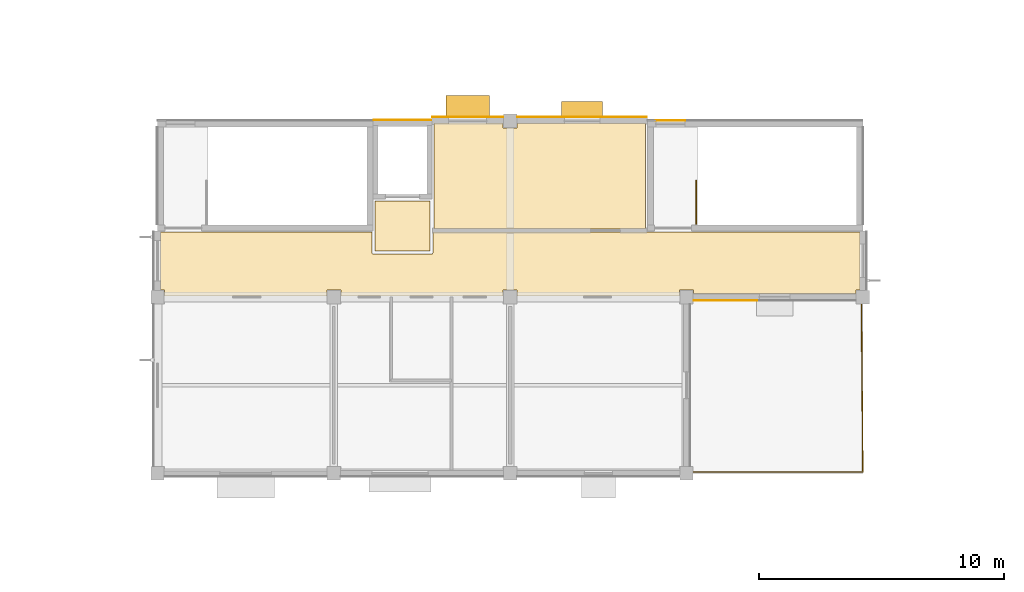
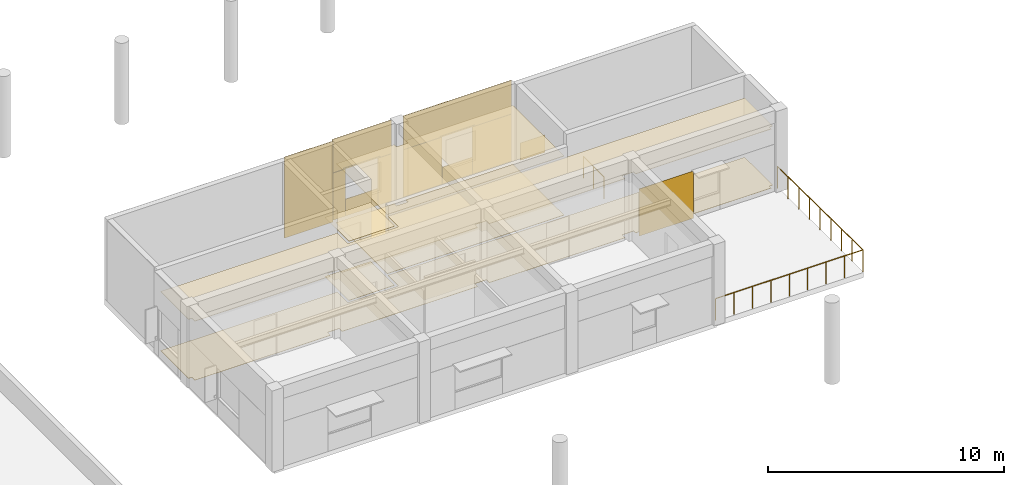
# One storey, part 22 of 29: 17 coverings, 2 railings, 2 shading devices.
"""IFC4 building model written with IfcOpenShell, lengths in metres."""

import ifcopenshell
import ifcopenshell.guid

model = None  # the IFC model being written
_history = None  # IfcOwnerHistory: only IFC2X3 demands one
_inside = {}  # id of a spatial element -> (the spatial element, [elements in it])
_under = {}  # id of a project, library or spatial element -> (it, [spatial elements below it])
_declared = {}  # id of a project -> (the project, [libraries it declares])
_typed = {}  # id of a type object -> (the type object, [elements of that type])
_made_of = {}  # id of a material, layer set ... -> (it, [elements and type objects made of it])


def new_model(schema):
    """Start an empty IFC model of exactly this schema.

    Asked for "IFC4X3", IfcOpenShell would pick the latest addendum, in which some entities
    have other attributes; the version numbers below select the first issue.
    IFC2X3 requires an IfcOwnerHistory on every rooted entity: one is made here for all.
    """
    global model, _history
    if schema == "IFC4X3":
        model = ifcopenshell.file(schema_version=(4, 3, 0, 0))
    else:
        model = ifcopenshell.file(schema=schema)
    _inside.clear()
    _under.clear()
    _declared.clear()
    _typed.clear()
    _made_of.clear()
    _history = None
    if model.schema == "IFC2X3":
        org = make("IfcOrganization", Name="unknown")
        user = make(
            "IfcPersonAndOrganization",
            ThePerson=make("IfcPerson", FamilyName="unknown"),
            TheOrganization=org,
        )
        app = make(
            "IfcApplication",
            ApplicationDeveloper=org,
            Version="unknown",
            ApplicationFullName="unknown",
            ApplicationIdentifier="unknown",
        )
        _history = make(
            "IfcOwnerHistory",
            OwningUser=user,
            OwningApplication=app,
            ChangeAction="ADDED",
            CreationDate=0,
        )
    return model


def make(cls, **values):
    """One entity of the class cls with the attributes given. An attribute that is None is left unset."""
    return model.create_entity(
        cls, **{name: value for name, value in values.items() if value is not None}
    )


def rooted(cls, **values):
    """An entity with a GlobalId (a new one), such as an element, a storey or a relation."""
    return make(cls, GlobalId=ifcopenshell.guid.new(), OwnerHistory=_history, **values)


def si_unit(unit_type, name, prefix=None):
    """IfcSIUnit, for example si_unit("LENGTHUNIT", "METRE", prefix="MILLI")."""
    return make("IfcSIUnit", UnitType=unit_type, Prefix=prefix, Name=name)


def assignment(units):
    """IfcUnitAssignment: the units of a project."""
    return None if units is None else make("IfcUnitAssignment", Units=units)


def point(xyz):
    """IfcCartesianPoint."""
    return None if xyz is None else make("IfcCartesianPoint", Coordinates=xyz)


def direction(xyz):
    """IfcDirection."""
    return None if xyz is None else make("IfcDirection", DirectionRatios=xyz)


def frame(location, z_axis=None, x_axis=None):
    """IfcAxis2Placement3D, a coordinate frame: its origin and axes. An axis left out is left unset."""
    return make(
        "IfcAxis2Placement3D",
        Location=point(location),
        Axis=direction(z_axis),
        RefDirection=direction(x_axis),
    )


def frame_2d(location, x_axis=None):
    """IfcAxis2Placement2D, a coordinate frame in the plane: its origin and x axis."""
    return make(
        "IfcAxis2Placement2D", Location=point(location), RefDirection=direction(x_axis)
    )


def origin():
    """The frame at (0, 0, 0) with its axes left unset."""
    return frame((0.0, 0.0, 0.0))


def origin_2d():
    """The frame at (0, 0) in the plane with its x axis left unset."""
    return frame_2d((0.0, 0.0))


def place(relative_to, where):
    """IfcLocalPlacement: puts the frame where relative to a parent placement (None: the world)."""
    return make(
        "IfcLocalPlacement", PlacementRelTo=relative_to, RelativePlacement=where
    )


def context(
    kind, dimensions, precision=None, world=None, true_north=None, identifier=None
):
    """IfcGeometricRepresentationContext, for example the 3D "Model" context."""
    return make(
        "IfcGeometricRepresentationContext",
        ContextIdentifier=identifier,
        ContextType=kind,
        CoordinateSpaceDimension=dimensions,
        Precision=precision,
        WorldCoordinateSystem=world,
        TrueNorth=true_north,
    )


def subcontext(parent, identifier, kind, view, scale=None):
    """IfcGeometricRepresentationSubContext, for example "Body" below "Model"."""
    return make(
        "IfcGeometricRepresentationSubContext",
        ContextIdentifier=identifier,
        ContextType=kind,
        ParentContext=parent,
        TargetScale=scale,
        TargetView=view,
    )


def project(units=None, contexts=None):
    """IfcProject with its units and contexts."""
    return rooted(
        "IfcProject",
        Name="project",
        RepresentationContexts=contexts,
        UnitsInContext=assignment(units),
    )


def spatial(cls, under=None, at=None, **own):
    """A site, building, storey or space (cls), placed at a placement, below another one or the project."""
    s = rooted(cls, ObjectPlacement=at, **own)
    if under is not None:
        _under.setdefault(under.id(), (under, []))[1].append(s)
    return s


def polyline(points):
    """IfcPolyline through the points."""
    return make("IfcPolyline", Points=[point(p) for p in points])


def profile(cls, at=None, kind="AREA", **sizes):
    """A parametric profile (cls). Its sizes go by their IFC names, for example OverallWidth=200.0."""
    return make(cls, ProfileType=kind, Position=at, **sizes)


def rectangle(**sizes):
    """IfcRectangleProfileDef."""
    return profile("IfcRectangleProfileDef", **sizes)


def circle(**sizes):
    """IfcCircleProfileDef."""
    return profile("IfcCircleProfileDef", **sizes)


def outline(outer, holes=None, kind="AREA"):
    """IfcArbitraryClosedProfileDef: a profile drawn as a closed curve; with holes, ...WithVoids."""
    if holes is None:
        return make("IfcArbitraryClosedProfileDef", ProfileType=kind, OuterCurve=outer)
    return make(
        "IfcArbitraryProfileDefWithVoids",
        ProfileType=kind,
        OuterCurve=outer,
        InnerCurves=holes,
    )


def extrude(swept, where, along, depth):
    """IfcExtrudedAreaSolid: the profile swept, set in the frame where, extruded along a direction by depth."""
    return make(
        "IfcExtrudedAreaSolid",
        SweptArea=swept,
        Position=where,
        ExtrudedDirection=direction(along),
        Depth=depth,
    )


def shape(context_of_items, identifier, shape_type, items):
    """IfcShapeRepresentation: the items that make up one representation, for example the "Body"."""
    return make(
        "IfcShapeRepresentation",
        ContextOfItems=context_of_items,
        RepresentationIdentifier=identifier,
        RepresentationType=shape_type,
        Items=items,
    )


def material(Name=None, Category=None):
    """IfcMaterial."""
    return make("IfcMaterial", Name=Name, Category=Category)


def layer(
    of_material, thickness, ventilated=None, Name=None, Category=None, Priority=None
):
    """IfcMaterialLayer: one layer of a wall or slab, of a material (None: an air gap)."""
    return make(
        "IfcMaterialLayer",
        Material=of_material,
        LayerThickness=thickness,
        IsVentilated=ventilated,
        Name=Name,
        Category=Category,
        Priority=Priority,
    )


def layer_set(layers, Name=None):
    """IfcMaterialLayerSet."""
    return make("IfcMaterialLayerSet", MaterialLayers=layers, LayerSetName=Name)


def made_of(thing, what):
    """Note that an element or type object is made of a material, layer set ...; save() writes the relation."""
    if what is not None:
        _made_of.setdefault(what.id(), (what, []))[1].append(thing)
    return thing


def type_object(cls, material=None, **own):
    """A type object (cls), such as IfcWallType, which elements share."""
    return made_of(rooted(cls, **own), material)


def element(
    cls,
    number,
    at=None,
    inside=None,
    cuts=None,
    type_object=None,
    material=None,
    context=None,
    identifier="Body",
    shape_type=None,
    held_by="IfcProductDefinitionShape",
    body=None,
    shapes=None,
    **own,
):
    """One element of the class cls, such as IfcWall. Its Tag is "e" and its number.

    at: its placement. inside: the storey or other place that contains it. cuts: it is an
    opening in that element (IfcRelVoidsElement). A single representation is given by context,
    identifier, shape_type and body (its items); several are given by shapes. held_by: the class
    of the entity that holds the representations. save() writes the other relations.
    """
    e = rooted(cls, Tag="e%d" % number, ObjectPlacement=at, **own)
    if body is not None:
        shapes = [shape(context, identifier, shape_type, body)]
    if shapes is not None:
        e.Representation = make(held_by, Representations=shapes)
    if inside is not None:
        _inside.setdefault(inside.id(), (inside, []))[1].append(e)
    if cuts is not None:
        rooted(
            "IfcRelVoidsElement", RelatingBuildingElement=cuts, RelatedOpeningElement=e
        )
    if type_object is not None:
        _typed.setdefault(type_object.id(), (type_object, []))[1].append(e)
    return made_of(e, material)


def aggregate(whole, parts):
    """IfcRelAggregates: a whole, such as a stair, and the parts it consists of."""
    return rooted("IfcRelAggregates", RelatingObject=whole, RelatedObjects=parts)


def save(model, path):
    """Write the relations noted so far, then the file.

    IfcRelAggregates (storeys below a building ...), IfcRelContainedInSpatialStructure (elements
    in a storey), IfcRelDefinesByType, IfcRelAssociatesMaterial and IfcRelDeclares: one each for
    every whole, place, type object, material and project.
    """
    for whole, parts in _under.values():
        aggregate(whole, parts)
    for where, things in _inside.values():
        rooted(
            "IfcRelContainedInSpatialStructure",
            RelatedElements=things,
            RelatingStructure=where,
        )
    for kind, things in _typed.values():
        rooted("IfcRelDefinesByType", RelatedObjects=things, RelatingType=kind)
    for what, things in _made_of.values():
        rooted("IfcRelAssociatesMaterial", RelatedObjects=things, RelatingMaterial=what)
    for by, libraries in _declared.values():
        rooted("IfcRelDeclares", RelatingContext=by, RelatedDefinitions=libraries)
    model.write(path)


model = new_model("IFC4")

# Units and contexts
model_context = context("Model", 3, precision=1e-05, world=origin(), true_north=direction((0.0, 1.0)))
body_context = subcontext(model_context, "Body", "Model", "MODEL_VIEW")
ifc_project = project(units=[si_unit("LENGTHUNIT", "METRE"), si_unit("AREAUNIT", "SQUARE_METRE"), si_unit("VOLUMEUNIT", "CUBIC_METRE"), si_unit("PLANEANGLEUNIT", "RADIAN"), si_unit("MASSUNIT", "GRAM", prefix="KILO")], contexts=[model_context])

# Site, building, storey
site_placement = place(None, origin())
site = spatial("IfcSite", under=ifc_project, at=site_placement, CompositionType="ELEMENT")
building_placement = place(site_placement, origin())
building = spatial("IfcBuilding", under=site, at=building_placement, Name="Namkhue Oval Health Centre", CompositionType="ELEMENT")
storey_placement = place(building_placement, frame((0.0, 0.0, 18.0)))
storey = spatial("IfcBuildingStorey", under=building, at=storey_placement, Name="L04", CompositionType="ELEMENT", Elevation=18.0)

# Coverings
ifc_material_1 = material(Name="Acoustic mineral-fibre cleanroom ceiling", Category="gypsum")
ifc_layer_1 = layer(ifc_material_1, 0.02001953125)
ifc_layer_set_1 = layer_set([ifc_layer_1], Name="Acoustic mineral-fibre cleanroom ceiling")
covering_type_1 = type_object("IfcCoveringType", Name="ACOUSTIC CLEANROOM CEILING 20", PredefinedType="CEILING", material=ifc_layer_set_1)
covering_1_placement = place(storey_placement, frame((0.0, 0.0, 3.050048828125)))
element("IfcCovering", 1, at=covering_1_placement, inside=storey, type_object=covering_type_1, Name="Acoustic Ceiling L04-LL6 Lift Lobby LF-06", PredefinedType="CEILING", context=body_context, shape_type="SweptSolid", body=[
    extrude(outline(polyline([(102.47998046875, 23.47998046875), (102.47998046875, 25.52001953125), (104.719970703125, 25.52001953125), (104.719970703125, 23.47998046875), (102.47998046875, 23.47998046875)])), origin(), (0.0, 0.0, 1.0), 0.02001953125),
])
covering_2_placement = place(storey_placement, frame((0.0, 0.0, 3.050048828125)))
element("IfcCovering", 2, at=covering_2_placement, inside=storey, type_object=covering_type_1, Name="Acoustic Ceiling L04-V5-C1 V5 Clinical Corridor", PredefinedType="CEILING", context=body_context, shape_type="SweptSolid", body=[
    extrude(outline(polyline([(108.284912109375, 21.639892578125), (108.284912109375, 21.885009765625), (107.715087890625, 21.885009765625), (107.715087890625, 21.639892578125), (101.0849609375, 21.639892578125), (101.0849609375, 21.885009765625), (100.514892578125, 21.885009765625), (100.514892578125, 21.639892578125), (93.885009765625, 21.639892578125), (93.885009765625, 21.885009765625), (93.72509765625, 21.885009765625), (93.72509765625, 24.260009765625), (102.360107421875, 24.260009765625), (102.360107421875, 23.39990234375), (102.363037109375, 23.384765625), (102.37158203125, 23.37158203125), (102.384765625, 23.363037109375), (102.39990234375, 23.360107421875), (104.800048828125, 23.360107421875), (104.815185546875, 23.363037109375), (104.833251953125, 23.377685546875), (104.840087890625, 23.39990234375), (104.840087890625, 24.260009765625), (122.27490234375, 24.260009765625), (122.27490234375, 21.885009765625), (122.114990234375, 21.885009765625), (122.114990234375, 21.72509765625), (115.485107421875, 21.72509765625), (115.485107421875, 21.885009765625), (114.9150390625, 21.885009765625), (114.9150390625, 21.639892578125), (108.284912109375, 21.639892578125)])), origin(), (0.0, 0.0, 1.0), 0.02001953125),
])
covering_3_placement = place(storey_placement, frame((0.0, 0.0, 3.050048828125)))
element("IfcCovering", 3, at=covering_3_placement, inside=storey, type_object=covering_type_1, Name="Acoustic Ceiling L04-506 East Terrace Group Therapy Lounge", PredefinedType="CEILING", context=body_context, shape_type="SweptSolid", body=[
    extrude(outline(polyline([(104.8798828125, 24.3798828125), (104.8798828125, 28.715087890625), (107.715087890625, 28.715087890625), (107.715087890625, 28.514892578125), (108.284912109375, 28.514892578125), (108.284912109375, 28.715087890625), (113.52001953125, 28.715087890625), (113.52001953125, 24.3798828125), (104.8798828125, 24.3798828125)])), origin(), (0.0, 0.0, 1.0), 0.02001953125),
])
ifc_material_2 = material(Name="Homogeneous anti-bacterial clinical vinyl flooring", Category="plastic")
ifc_layer_2 = layer(ifc_material_2, 0.014892578125)
ifc_layer_set_2 = layer_set([ifc_layer_2], Name="Homogeneous anti-bacterial clinical vinyl flooring")
covering_type_2 = type_object("IfcCoveringType", Name="CLINICAL ANTIBACTERIAL VINYL FLOORING 15", PredefinedType="FLOORING", material=ifc_layer_set_2)
covering_4_placement = place(storey_placement, origin())
element("IfcCovering", 4, at=covering_4_placement, inside=storey, type_object=covering_type_2, Name="Clinical Flooring L04-LL6 Lift Lobby LF-06", PredefinedType="FLOORING", context=body_context, shape_type="SweptSolid", body=[
    extrude(outline(polyline([(102.47998046875, 23.47998046875), (102.47998046875, 25.52001953125), (104.719970703125, 25.52001953125), (104.719970703125, 23.47998046875), (102.47998046875, 23.47998046875)])), origin(), (0.0, 0.0, 1.0), 0.014892578125),
])
covering_5_placement = place(storey_placement, origin())
element("IfcCovering", 5, at=covering_5_placement, inside=storey, type_object=covering_type_2, Name="Clinical Flooring L04-V5-C1 V5 Clinical Corridor", PredefinedType="FLOORING", context=body_context, shape_type="SweptSolid", body=[
    extrude(outline(polyline([(108.284912109375, 21.639892578125), (108.284912109375, 21.885009765625), (107.715087890625, 21.885009765625), (107.715087890625, 21.639892578125), (101.0849609375, 21.639892578125), (101.0849609375, 21.885009765625), (100.514892578125, 21.885009765625), (100.514892578125, 21.639892578125), (93.885009765625, 21.639892578125), (93.885009765625, 21.885009765625), (93.72509765625, 21.885009765625), (93.72509765625, 24.260009765625), (102.360107421875, 24.260009765625), (102.360107421875, 23.39990234375), (102.363037109375, 23.384765625), (102.37158203125, 23.37158203125), (102.384765625, 23.363037109375), (102.39990234375, 23.360107421875), (104.800048828125, 23.360107421875), (104.815185546875, 23.363037109375), (104.833251953125, 23.377685546875), (104.840087890625, 23.39990234375), (104.840087890625, 24.260009765625), (122.27490234375, 24.260009765625), (122.27490234375, 21.885009765625), (122.114990234375, 21.885009765625), (122.114990234375, 21.72509765625), (115.485107421875, 21.72509765625), (115.485107421875, 21.885009765625), (114.9150390625, 21.885009765625), (114.9150390625, 21.639892578125), (108.284912109375, 21.639892578125)])), origin(), (0.0, 0.0, 1.0), 0.014892578125),
])
covering_6_placement = place(storey_placement, origin())
element("IfcCovering", 6, at=covering_6_placement, inside=storey, type_object=covering_type_2, Name="Clinical Flooring L04-506 East Terrace Group Therapy Lounge", PredefinedType="FLOORING", context=body_context, shape_type="SweptSolid", body=[
    extrude(outline(polyline([(104.8798828125, 24.3798828125), (104.8798828125, 28.715087890625), (107.715087890625, 28.715087890625), (107.715087890625, 28.514892578125), (108.284912109375, 28.514892578125), (108.284912109375, 28.715087890625), (113.52001953125, 28.715087890625), (113.52001953125, 24.3798828125), (104.8798828125, 24.3798828125)])), origin(), (0.0, 0.0, 1.0), 0.014892578125),
])

# Railings
ifc_material_3 = material(Name="Brushed stainless steel 316L balustrade with laminated glass infill", Category="steel")
railing_type_1 = type_object("IfcRailingType", Name="EXTERIOR BALUSTRADE GUARD 1150", PredefinedType="BALUSTRADE", material=ifc_material_3)
railing_1_placement = place(storey_placement, frame((115.199951171875, 14.4599609375, 0.0)))
element("IfcRailing", 7, at=railing_1_placement, inside=storey, type_object=railing_type_1, Name="Volume V5 L04 Terrace Balustrade Guard 1", PredefinedType="BALUSTRADE", context=body_context, shape_type="SweptSolid", body=[
    extrude(circle(Radius=0.02392578125, at=origin_2d()), frame((0.0, 0.0, 1.1259765625), z_axis=(1.0, 0.0, 0.0), x_axis=(0.0, 1.0, 0.0)), (0.0, 0.0, 1.0), 7.199951171875),
    extrude(circle(Radius=0.02392578125, at=origin_2d()), frame((7.199951171875, 0.0, 1.1259765625), z_axis=(-0.008376920047, 0.99996491299, 0.0), x_axis=(-0.99996491299, -0.008376920047, 0.0)), (0.0, 0.0, 1.0), 7.140380859375),
    extrude(circle(Radius=0.02099609375, at=origin_2d()), origin(), (0.0, 0.0, 1.0), 1.101806640625),
    extrude(circle(Radius=0.02099609375, at=origin_2d()), frame((0.89990234375, 0.0, 0.0)), (0.0, 0.0, 1.0), 1.101806640625),
    extrude(circle(Radius=0.02099609375, at=origin_2d()), frame((1.800048828125, 0.0, 0.0)), (0.0, 0.0, 1.0), 1.101806640625),
    extrude(circle(Radius=0.02099609375, at=origin_2d()), frame((2.699951171875, 0.0, 0.0)), (0.0, 0.0, 1.0), 1.101806640625),
    extrude(circle(Radius=0.02099609375, at=origin_2d()), frame((3.60009765625, 0.0, 0.0)), (0.0, 0.0, 1.0), 1.101806640625),
    extrude(circle(Radius=0.02099609375, at=origin_2d()), frame((4.5, 0.0, 0.0)), (0.0, 0.0, 1.0), 1.101806640625),
    extrude(circle(Radius=0.02099609375, at=origin_2d()), frame((5.39990234375, 0.0, 0.0)), (0.0, 0.0, 1.0), 1.101806640625),
    extrude(circle(Radius=0.02099609375, at=origin_2d()), frame((6.300048828125, 0.0, 0.0)), (0.0, 0.0, 1.0), 1.101806640625),
    extrude(circle(Radius=0.02099609375, at=origin_2d()), frame((7.199951171875, 0.0, 0.0)), (0.0, 0.0, 1.0), 1.101806640625),
    extrude(circle(Radius=0.02099609375, at=origin_2d()), frame((7.1923828125, 0.892578125, 0.0)), (0.0, 0.0, 1.0), 1.101806640625),
    extrude(circle(Radius=0.02099609375, at=origin_2d()), frame((7.18505859375, 1.78515625, 0.0)), (0.0, 0.0, 1.0), 1.101806640625),
    extrude(circle(Radius=0.02099609375, at=origin_2d()), frame((7.177490234375, 2.677490234375, 0.0)), (0.0, 0.0, 1.0), 1.101806640625),
    extrude(circle(Radius=0.02099609375, at=origin_2d()), frame((7.169921875, 3.570068359375, 0.0)), (0.0, 0.0, 1.0), 1.101806640625),
    extrude(circle(Radius=0.02099609375, at=origin_2d()), frame((7.16259765625, 4.462646484375, 0.0)), (0.0, 0.0, 1.0), 1.101806640625),
    extrude(circle(Radius=0.02099609375, at=origin_2d()), frame((7.155029296875, 5.35498046875, 0.0)), (0.0, 0.0, 1.0), 1.101806640625),
    extrude(circle(Radius=0.02099609375, at=origin_2d()), frame((7.147705078125, 6.24755859375, 0.0)), (0.0, 0.0, 1.0), 1.101806640625),
    extrude(circle(Radius=0.02099609375, at=origin_2d()), frame((7.14013671875, 7.14013671875, 0.0)), (0.0, 0.0, 1.0), 1.101806640625),
])
railing_type_2 = type_object("IfcRailingType", Name="INTERIOR BALUSTRADE GUARD 1150", PredefinedType="BALUSTRADE", material=ifc_material_3)
railing_2_placement = place(storey_placement, frame((115.60009765625, 24.590087890625, 0.0)))
element("IfcRailing", 8, at=railing_2_placement, inside=storey, type_object=railing_type_2, Name="Stair ST-10 L04 Landing Well Edge Guard", PredefinedType="BALUSTRADE", context=body_context, shape_type="SweptSolid", body=[
    extrude(circle(Radius=0.02392578125, at=origin_2d()), frame((0.0, 0.0, 1.1259765625), z_axis=(0.0, 1.0, 0.0), x_axis=(-1.0, 0.0, 0.0)), (0.0, 0.0, 1.0), 1.77001953125),
    extrude(circle(Radius=0.02099609375, at=origin_2d()), origin(), (0.0, 0.0, 1.0), 1.101806640625),
    extrude(circle(Radius=0.02099609375, at=origin_2d()), frame((0.0, 0.885009765625, 0.0)), (0.0, 0.0, 1.0), 1.101806640625),
    extrude(circle(Radius=0.02099609375, at=origin_2d()), frame((0.0, 1.77001953125, 0.0)), (0.0, 0.0, 1.0), 1.101806640625),
])

# Shading devices
ifc_material_4 = material(Name="Anodised aluminium EN AW-6063 T6", Category="aluminium")
ifc_layer_3 = layer(ifc_material_4, 0.06005859375)
ifc_layer_set_3 = layer_set([ifc_layer_3], Name="Anodised aluminium EN AW-6063 T6")
shading_device_type_1 = type_object("IfcShadingDeviceType", Name="MONSOON SUN LOUVRE 900", PredefinedType="JALOUSIE", material=ifc_layer_set_3)
shading_device_1_placement = place(storey_placement, frame((106.265380859375, 29.385009765625, 2.4599609375), z_axis=(0.0, 0.0, 1.0), x_axis=(-1.0, 0.0, 0.0)))
element("IfcShadingDevice", 9, at=shading_device_1_placement, inside=storey, type_object=shading_device_type_1, Name="Volume V5 L04 Window Monsoon Louvre 292", PredefinedType="JALOUSIE", context=body_context, shape_type="SweptSolid", body=[
    extrude(rectangle(XDim=1.7900390625, YDim=0.89990234375, at=origin_2d()), origin(), (0.0, 0.0, 1.0), 0.06005859375),
])
ifc_layer_4 = layer(ifc_material_4, 0.050048828125)
ifc_layer_set_4 = layer_set([ifc_layer_4], Name="Anodised aluminium EN AW-6063 T6")
shading_device_type_2 = type_object("IfcShadingDeviceType", Name="STORM SHUTTER LOUVRE 650", PredefinedType="SHUTTER", material=ifc_layer_set_4)
shading_device_2_placement = place(storey_placement, frame((110.9345703125, 29.2548828125, 2.4599609375), z_axis=(0.0, 0.0, 1.0), x_axis=(-1.0, 0.0, 0.0)))
element("IfcShadingDevice", 10, at=shading_device_2_placement, inside=storey, type_object=shading_device_type_2, Name="Volume V5 L04 Window Monsoon Louvre 291", PredefinedType="SHUTTER", context=body_context, shape_type="SweptSolid", body=[
    extrude(rectangle(XDim=1.68994140625, YDim=0.64990234375, at=origin_2d()), origin(), (0.0, 0.0, 1.0), 0.06005859375),
])

# Coverings
ifc_material_5 = material(Name="White glass-fibre reinforced concrete GRC rainscreen cladding", Category="concrete")
ifc_layer_5 = layer(ifc_material_5, 0.02490234375)
ifc_layer_set_5 = layer_set([ifc_layer_5], Name="White glass-fibre reinforced concrete GRC rainscreen cladding")
covering_type_3 = type_object("IfcCoveringType", Name="WHITE GRC RAINSCREEN CLADDING 25", PredefinedType="CLADDING", material=ifc_layer_set_5)
covering_7_placement = place(storey_placement, frame((116.825439453125, 21.4580078125, 0.010009765625), z_axis=(0.0, 0.0, 1.0), x_axis=(1.0, 0.0, 0.0)))
element("IfcCovering", 11, at=covering_7_placement, inside=storey, type_object=covering_type_3, Name="Volume V5 L04 Facade 153 White GRC Cladding 2", PredefinedType="CLADDING", context=body_context, shape_type="SweptSolid", body=[
    extrude(rectangle(XDim=2.6689453125, YDim=0.02490234375, at=origin_2d()), origin(), (0.0, 0.0, 1.0), 2.43994140625),
])
covering_8_placement = place(storey_placement, frame((110.9345703125, 28.951904296875, 2.455078125), z_axis=(0.0, 0.0, 1.0), x_axis=(-1.0, 0.0, 0.0)))
element("IfcCovering", 12, at=covering_8_placement, inside=storey, type_object=covering_type_3, Name="Volume V5 L04 Facade 155 White GRC Cladding 1", PredefinedType="CLADDING", context=body_context, shape_type="SweptSolid", body=[
    extrude(rectangle(XDim=5.287109375, YDim=0.02490234375, at=origin_2d()), origin(), (0.0, 0.0, 1.0), 1.735107421875),
])
covering_9_placement = place(storey_placement, frame((112.626220703125, 28.951904296875, 0.010009765625), z_axis=(0.0, 0.0, 1.0), x_axis=(-1.0, 0.0, 0.0)))
element("IfcCovering", 13, at=covering_9_placement, inside=storey, type_object=covering_type_3, Name="Volume V5 L04 Facade 155 White GRC Cladding 2", PredefinedType="CLADDING", context=body_context, shape_type="SweptSolid", body=[
    extrude(rectangle(XDim=1.903564453125, YDim=0.02490234375, at=origin_2d()), origin(), (0.0, 0.0, 1.0), 2.43994140625),
])
covering_10_placement = place(storey_placement, frame((110.9345703125, 28.951904296875, 0.010009765625), z_axis=(0.0, 0.0, 1.0), x_axis=(-1.0, 0.0, 0.0)))
element("IfcCovering", 14, at=covering_10_placement, inside=storey, type_object=covering_type_3, Name="Volume V5 L04 Facade 155 White GRC Cladding 3", PredefinedType="CLADDING", context=body_context, shape_type="SweptSolid", body=[
    extrude(rectangle(XDim=1.469970703125, YDim=0.02490234375, at=origin_2d()), origin(), (0.0, 0.0, 1.0), 0.875),
])
covering_11_placement = place(storey_placement, frame((109.242919921875, 28.951904296875, 0.010009765625), z_axis=(0.0, 0.0, 1.0), x_axis=(-1.0, 0.0, 0.0)))
element("IfcCovering", 15, at=covering_11_placement, inside=storey, type_object=covering_type_3, Name="Volume V5 L04 Facade 155 White GRC Cladding 4", PredefinedType="CLADDING", context=body_context, shape_type="SweptSolid", body=[
    extrude(rectangle(XDim=1.903564453125, YDim=0.02490234375, at=origin_2d()), origin(), (0.0, 0.0, 1.0), 2.43994140625),
])
covering_12_placement = place(storey_placement, frame((106.265380859375, 28.95703125, 2.455078125), z_axis=(0.0, 0.0, 1.0), x_axis=(-1.0, 0.0, 0.0)))
element("IfcCovering", 16, at=covering_12_placement, inside=storey, type_object=covering_type_3, Name="Volume V5 L04 Facade 156 White GRC Cladding 1", PredefinedType="CLADDING", context=body_context, shape_type="SweptSolid", body=[
    extrude(rectangle(XDim=2.886962890625, YDim=0.02490234375, at=origin_2d()), origin(), (0.0, 0.0, 1.0), 1.735107421875),
])
covering_13_placement = place(storey_placement, frame((107.382080078125, 28.95703125, 0.010009765625), z_axis=(0.0, 0.0, 1.0), x_axis=(-1.0, 0.0, 0.0)))
element("IfcCovering", 17, at=covering_13_placement, inside=storey, type_object=covering_type_3, Name="Volume V5 L04 Facade 156 White GRC Cladding 2", PredefinedType="CLADDING", context=body_context, shape_type="SweptSolid", body=[
    extrude(rectangle(XDim=0.653564453125, YDim=0.02490234375, at=origin_2d()), origin(), (0.0, 0.0, 1.0), 2.43994140625),
])
covering_14_placement = place(storey_placement, frame((106.265380859375, 28.95703125, 0.010009765625), z_axis=(0.0, 0.0, 1.0), x_axis=(-1.0, 0.0, 0.0)))
element("IfcCovering", 18, at=covering_14_placement, inside=storey, type_object=covering_type_3, Name="Volume V5 L04 Facade 156 White GRC Cladding 3", PredefinedType="CLADDING", context=body_context, shape_type="SweptSolid", body=[
    extrude(rectangle(XDim=1.570068359375, YDim=0.02490234375, at=origin_2d()), origin(), (0.0, 0.0, 1.0), 0.875),
])
covering_15_placement = place(storey_placement, frame((105.148681640625, 28.95703125, 0.010009765625), z_axis=(0.0, 0.0, 1.0), x_axis=(-1.0, 0.0, 0.0)))
element("IfcCovering", 19, at=covering_15_placement, inside=storey, type_object=covering_type_3, Name="Volume V5 L04 Facade 156 White GRC Cladding 4", PredefinedType="CLADDING", context=body_context, shape_type="SweptSolid", body=[
    extrude(rectangle(XDim=0.653564453125, YDim=0.02490234375, at=origin_2d()), origin(), (0.0, 0.0, 1.0), 2.43994140625),
])
covering_16_placement = place(storey_placement, frame((114.5400390625, 28.81201171875, 0.010009765625), z_axis=(0.0, 0.0, 1.0), x_axis=(-1.0, 0.0, 0.0)))
element("IfcCovering", 20, at=covering_16_placement, inside=storey, type_object=covering_type_3, Name="Core SC-10 L04 Core N White GRC Cladding 3", PredefinedType="CLADDING", context=body_context, shape_type="SweptSolid", body=[
    extrude(rectangle(XDim=1.199951171875, YDim=0.02490234375, at=origin_2d()), origin(), (0.0, 0.0, 1.0), 0.89501953125),
])
covering_17_placement = place(storey_placement, frame((103.60009765625, 28.8369140625, 0.01025390625), z_axis=(0.0, 0.0, 1.0), x_axis=(-1.0, 0.0, 0.0)))
element("IfcCovering", 21, at=covering_17_placement, inside=storey, type_object=covering_type_3, Name="Lift LF-06 L04 N White GRC Cladding 1", PredefinedType="CLADDING", context=body_context, shape_type="SweptSolid", body=[
    extrude(rectangle(XDim=2.360107421875, YDim=0.02490234375, at=origin_2d()), origin(), (0.0, 0.0, 1.0), 4.179931640625),
])

save(model, "model.ifc")
